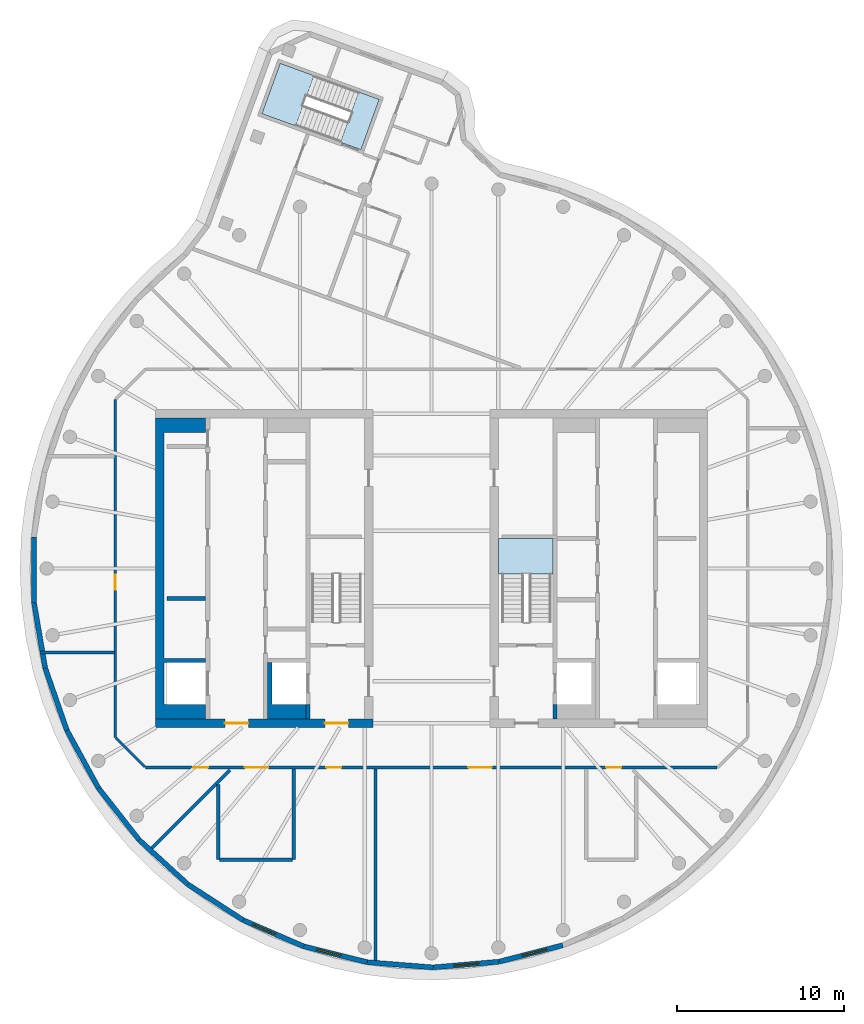
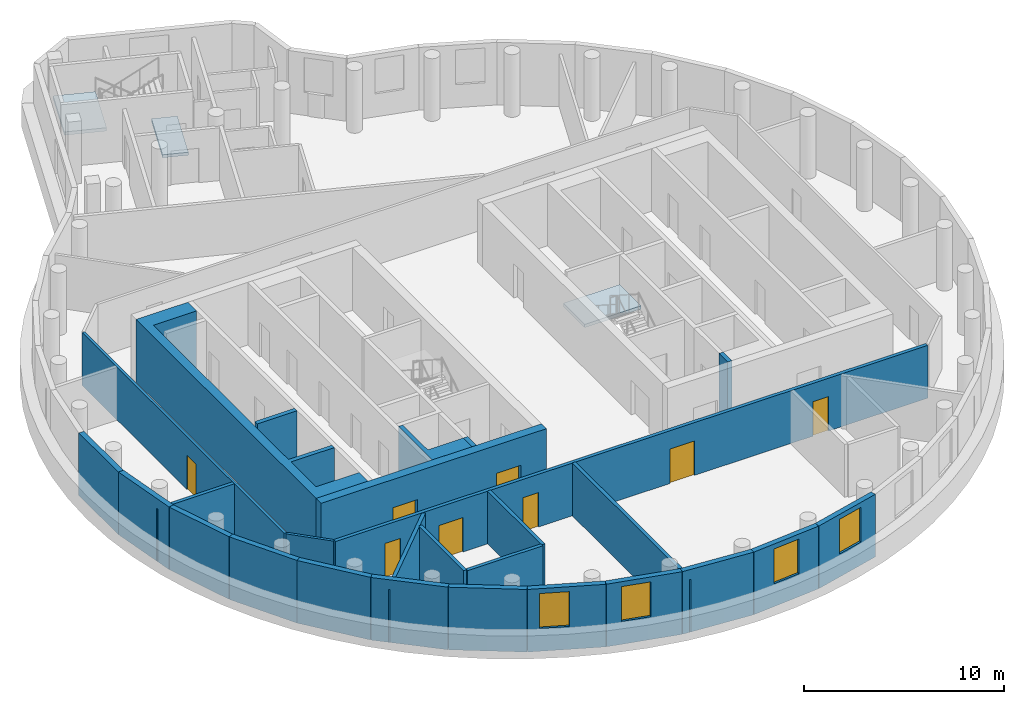
# One storey, part 2 of 7: 27 walls, 8 doors, 4 windows, 3 slabs, 12 openings, 2 elements without a shape of their own.
"""IFC4 building model written with IfcOpenShell, lengths in metres."""

import ifcopenshell
import ifcopenshell.guid

model = None  # the IFC model being written
_history = None  # IfcOwnerHistory: only IFC2X3 demands one
_inside = {}  # id of a spatial element -> (the spatial element, [elements in it])
_under = {}  # id of a project, library or spatial element -> (it, [spatial elements below it])
_declared = {}  # id of a project -> (the project, [libraries it declares])
_typed = {}  # id of a type object -> (the type object, [elements of that type])
_made_of = {}  # id of a material, layer set ... -> (it, [elements and type objects made of it])


def new_model(schema):
    """Start an empty IFC model of exactly this schema.

    Asked for "IFC4X3", IfcOpenShell would pick the latest addendum, in which some entities
    have other attributes; the version numbers below select the first issue.
    IFC2X3 requires an IfcOwnerHistory on every rooted entity: one is made here for all.
    """
    global model, _history
    if schema == "IFC4X3":
        model = ifcopenshell.file(schema_version=(4, 3, 0, 0))
    else:
        model = ifcopenshell.file(schema=schema)
    _inside.clear()
    _under.clear()
    _declared.clear()
    _typed.clear()
    _made_of.clear()
    _history = None
    if model.schema == "IFC2X3":
        org = make("IfcOrganization", Name="unknown")
        user = make(
            "IfcPersonAndOrganization",
            ThePerson=make("IfcPerson", FamilyName="unknown"),
            TheOrganization=org,
        )
        app = make(
            "IfcApplication",
            ApplicationDeveloper=org,
            Version="unknown",
            ApplicationFullName="unknown",
            ApplicationIdentifier="unknown",
        )
        _history = make(
            "IfcOwnerHistory",
            OwningUser=user,
            OwningApplication=app,
            ChangeAction="ADDED",
            CreationDate=0,
        )
    return model


def make(cls, **values):
    """One entity of the class cls with the attributes given. An attribute that is None is left unset."""
    return model.create_entity(
        cls, **{name: value for name, value in values.items() if value is not None}
    )


def rooted(cls, **values):
    """An entity with a GlobalId (a new one), such as an element, a storey or a relation."""
    return make(cls, GlobalId=ifcopenshell.guid.new(), OwnerHistory=_history, **values)


def si_unit(unit_type, name, prefix=None):
    """IfcSIUnit, for example si_unit("LENGTHUNIT", "METRE", prefix="MILLI")."""
    return make("IfcSIUnit", UnitType=unit_type, Prefix=prefix, Name=name)


def assignment(units):
    """IfcUnitAssignment: the units of a project."""
    return None if units is None else make("IfcUnitAssignment", Units=units)


def point(xyz):
    """IfcCartesianPoint."""
    return None if xyz is None else make("IfcCartesianPoint", Coordinates=xyz)


def direction(xyz):
    """IfcDirection."""
    return None if xyz is None else make("IfcDirection", DirectionRatios=xyz)


def frame(location, z_axis=None, x_axis=None):
    """IfcAxis2Placement3D, a coordinate frame: its origin and axes. An axis left out is left unset."""
    return make(
        "IfcAxis2Placement3D",
        Location=point(location),
        Axis=direction(z_axis),
        RefDirection=direction(x_axis),
    )


def frame_2d(location, x_axis=None):
    """IfcAxis2Placement2D, a coordinate frame in the plane: its origin and x axis."""
    return make(
        "IfcAxis2Placement2D", Location=point(location), RefDirection=direction(x_axis)
    )


def origin():
    """The frame at (0, 0, 0) with its axes left unset."""
    return frame((0.0, 0.0, 0.0))


def place(relative_to, where):
    """IfcLocalPlacement: puts the frame where relative to a parent placement (None: the world)."""
    return make(
        "IfcLocalPlacement", PlacementRelTo=relative_to, RelativePlacement=where
    )


def context(
    kind, dimensions, precision=None, world=None, true_north=None, identifier=None
):
    """IfcGeometricRepresentationContext, for example the 3D "Model" context."""
    return make(
        "IfcGeometricRepresentationContext",
        ContextIdentifier=identifier,
        ContextType=kind,
        CoordinateSpaceDimension=dimensions,
        Precision=precision,
        WorldCoordinateSystem=world,
        TrueNorth=true_north,
    )


def subcontext(parent, identifier, kind, view, scale=None):
    """IfcGeometricRepresentationSubContext, for example "Body" below "Model"."""
    return make(
        "IfcGeometricRepresentationSubContext",
        ContextIdentifier=identifier,
        ContextType=kind,
        ParentContext=parent,
        TargetScale=scale,
        TargetView=view,
    )


def project(units=None, contexts=None):
    """IfcProject with its units and contexts."""
    return rooted(
        "IfcProject",
        Name="project",
        RepresentationContexts=contexts,
        UnitsInContext=assignment(units),
    )


def spatial(cls, under=None, at=None, **own):
    """A site, building, storey or space (cls), placed at a placement, below another one or the project."""
    s = rooted(cls, ObjectPlacement=at, **own)
    if under is not None:
        _under.setdefault(under.id(), (under, []))[1].append(s)
    return s


def polyline(points):
    """IfcPolyline through the points."""
    return make("IfcPolyline", Points=[point(p) for p in points])


def profile(cls, at=None, kind="AREA", **sizes):
    """A parametric profile (cls). Its sizes go by their IFC names, for example OverallWidth=200.0."""
    return make(cls, ProfileType=kind, Position=at, **sizes)


def rectangle(**sizes):
    """IfcRectangleProfileDef."""
    return profile("IfcRectangleProfileDef", **sizes)


def outline(outer, holes=None, kind="AREA"):
    """IfcArbitraryClosedProfileDef: a profile drawn as a closed curve; with holes, ...WithVoids."""
    if holes is None:
        return make("IfcArbitraryClosedProfileDef", ProfileType=kind, OuterCurve=outer)
    return make(
        "IfcArbitraryProfileDefWithVoids",
        ProfileType=kind,
        OuterCurve=outer,
        InnerCurves=holes,
    )


def extrude(swept, where, along, depth):
    """IfcExtrudedAreaSolid: the profile swept, set in the frame where, extruded along a direction by depth."""
    return make(
        "IfcExtrudedAreaSolid",
        SweptArea=swept,
        Position=where,
        ExtrudedDirection=direction(along),
        Depth=depth,
    )


def shape(context_of_items, identifier, shape_type, items):
    """IfcShapeRepresentation: the items that make up one representation, for example the "Body"."""
    return make(
        "IfcShapeRepresentation",
        ContextOfItems=context_of_items,
        RepresentationIdentifier=identifier,
        RepresentationType=shape_type,
        Items=items,
    )


def material(Name=None, Category=None):
    """IfcMaterial."""
    return make("IfcMaterial", Name=Name, Category=Category)


def layer(
    of_material, thickness, ventilated=None, Name=None, Category=None, Priority=None
):
    """IfcMaterialLayer: one layer of a wall or slab, of a material (None: an air gap)."""
    return make(
        "IfcMaterialLayer",
        Material=of_material,
        LayerThickness=thickness,
        IsVentilated=ventilated,
        Name=Name,
        Category=Category,
        Priority=Priority,
    )


def layer_set(layers, Name=None):
    """IfcMaterialLayerSet."""
    return make("IfcMaterialLayerSet", MaterialLayers=layers, LayerSetName=Name)


def made_of(thing, what):
    """Note that an element or type object is made of a material, layer set ...; save() writes the relation."""
    if what is not None:
        _made_of.setdefault(what.id(), (what, []))[1].append(thing)
    return thing


def type_object(cls, material=None, **own):
    """A type object (cls), such as IfcWallType, which elements share."""
    return made_of(rooted(cls, **own), material)


def element(
    cls,
    number,
    at=None,
    inside=None,
    cuts=None,
    type_object=None,
    material=None,
    context=None,
    identifier="Body",
    shape_type=None,
    held_by="IfcProductDefinitionShape",
    body=None,
    shapes=None,
    **own,
):
    """One element of the class cls, such as IfcWall. Its Tag is "e" and its number.

    at: its placement. inside: the storey or other place that contains it. cuts: it is an
    opening in that element (IfcRelVoidsElement). A single representation is given by context,
    identifier, shape_type and body (its items); several are given by shapes. held_by: the class
    of the entity that holds the representations. save() writes the other relations.
    """
    e = rooted(cls, Tag="e%d" % number, ObjectPlacement=at, **own)
    if body is not None:
        shapes = [shape(context, identifier, shape_type, body)]
    if shapes is not None:
        e.Representation = make(held_by, Representations=shapes)
    if inside is not None:
        _inside.setdefault(inside.id(), (inside, []))[1].append(e)
    if cuts is not None:
        rooted(
            "IfcRelVoidsElement", RelatingBuildingElement=cuts, RelatedOpeningElement=e
        )
    if type_object is not None:
        _typed.setdefault(type_object.id(), (type_object, []))[1].append(e)
    return made_of(e, material)


def fill(opening, filler):
    """IfcRelFillsElement: the door or window that sits in an opening."""
    return rooted(
        "IfcRelFillsElement",
        RelatingOpeningElement=opening,
        RelatedBuildingElement=filler,
    )


def aggregate(whole, parts):
    """IfcRelAggregates: a whole, such as a stair, and the parts it consists of."""
    return rooted("IfcRelAggregates", RelatingObject=whole, RelatedObjects=parts)


def save(model, path):
    """Write the relations noted so far, then the file.

    IfcRelAggregates (storeys below a building ...), IfcRelContainedInSpatialStructure (elements
    in a storey), IfcRelDefinesByType, IfcRelAssociatesMaterial and IfcRelDeclares: one each for
    every whole, place, type object, material and project.
    """
    for whole, parts in _under.values():
        aggregate(whole, parts)
    for where, things in _inside.values():
        rooted(
            "IfcRelContainedInSpatialStructure",
            RelatedElements=things,
            RelatingStructure=where,
        )
    for kind, things in _typed.values():
        rooted("IfcRelDefinesByType", RelatedObjects=things, RelatingType=kind)
    for what, things in _made_of.values():
        rooted("IfcRelAssociatesMaterial", RelatedObjects=things, RelatingMaterial=what)
    for by, libraries in _declared.values():
        rooted("IfcRelDeclares", RelatingContext=by, RelatedDefinitions=libraries)
    model.write(path)


model = new_model("IFC4")

# Units and contexts
model_context = context("Model", 3, precision=1e-05, world=origin(), true_north=direction((0.0, 1.0)))
body_context = subcontext(model_context, "Body", "Model", "MODEL_VIEW")
ifc_project = project(units=[si_unit("LENGTHUNIT", "METRE"), si_unit("AREAUNIT", "SQUARE_METRE"), si_unit("VOLUMEUNIT", "CUBIC_METRE"), si_unit("PLANEANGLEUNIT", "RADIAN"), si_unit("MASSUNIT", "GRAM", prefix="KILO")], contexts=[model_context])

# Site, building, storey
site_placement = place(None, origin())
site = spatial("IfcSite", under=ifc_project, at=site_placement, CompositionType="ELEMENT")
building_placement = place(site_placement, origin())
building = spatial("IfcBuilding", under=site, at=building_placement, Name="Tamarind Cross Interchange Tower", CompositionType="ELEMENT")
storey_placement = place(building_placement, frame((0.0, 0.0, 317.39990234375)))
storey = spatial("IfcBuildingStorey", under=building, at=storey_placement, Name="L78", CompositionType="ELEMENT", Elevation=317.39990234375)

# Slab
ifc_material_1 = material(Name="Concrete C40", Category="concrete")
ifc_layer_1 = layer(ifc_material_1, 0.179931640625)
ifc_layer_set_1 = layer_set([ifc_layer_1], Name="Concrete C40")
slab_type_1 = type_object("IfcSlabType", Name="Composite slab 180 Concrete C40", PredefinedType="FLOOR", material=ifc_layer_set_1)
slab_1_placement = place(storey_placement, frame((0.0, 0.0, -0.179931640625)))
element("IfcSlab", 1, at=slab_1_placement, inside=storey, type_object=slab_type_1, Name="Floor slab L78", PredefinedType="FLOOR", context=body_context, shape_type="SweptSolid", body=[
    extrude(outline(polyline([(-4.358154296875, 28.481201171875), (-5.45263671875, 25.47412109375), (-4.2197265625, 25.025634765625), (-3.125244140625, 28.03271484375), (-4.358154296875, 28.481201171875)])), origin(), (0.0, 0.0, 1.0), 0.179931640625),
])

# Stair, slab
ifc_material_2 = material(Name="Exit stair")
stair_type = type_object("IfcStairType", Name="Exit stair", PredefinedType="HALF_TURN_STAIR", material=ifc_material_2)
stair_1_placement = place(storey_placement, origin())
stair_1 = element("IfcStair", 2, at=stair_1_placement, inside=storey, type_object=stair_type, Name="L78 exit stair ST2", PredefinedType="HALF_TURN_STAIR")
ifc_layer_2 = layer(ifc_material_1, 0.199951171875)
ifc_layer_set_2 = layer_set([ifc_layer_2], Name="Concrete C40")
slab_type_2 = type_object("IfcSlabType", Name="Stair landing", PredefinedType="LANDING", material=ifc_layer_set_2)
slab_2_placement = place(storey_placement, frame((0.0, 0.0, 1.800048828125)))
slab_2 = element("IfcSlab", 3, at=slab_2_placement, type_object=slab_type_2, Name="ST2 landing 1", PredefinedType="LANDING", context=body_context, shape_type="SweptSolid", body=[
    extrude(outline(polyline([(7.25, -0.340087890625), (7.25, 1.800048828125), (4.0, 1.800048828125), (4.0, -0.340087890625), (7.25, -0.340087890625)])), origin(), (0.0, 0.0, 1.0), 0.199951171875),
])
aggregate(stair_1, [slab_2])

stair_2_placement = place(storey_placement, origin())
stair_2 = element("IfcStair", 4, at=stair_2_placement, inside=storey, type_object=stair_type, Name="L78 exit stair ST4", PredefinedType="HALF_TURN_STAIR")
slab_3_placement = place(storey_placement, frame((0.0, 0.0, 1.800048828125)))
slab_3 = element("IfcSlab", 5, at=slab_3_placement, type_object=slab_type_2, Name="ST4 landing 1", PredefinedType="LANDING", context=body_context, shape_type="SweptSolid", body=[
    extrude(outline(polyline([(-7.023193359375, 29.451171875), (-9.04541015625, 30.187255859375), (-10.139892578125, 27.18017578125), (-8.11767578125, 26.444091796875), (-7.023193359375, 29.451171875)])), origin(), (0.0, 0.0, 1.0), 0.199951171875),
])
aggregate(stair_2, [slab_3])

# Wall, openings, doors
ifc_material_3 = material(Name="Concrete C50", Category="concrete")
ifc_layer_3 = layer(ifc_material_3, 0.5)
ifc_layer_set_3 = layer_set([ifc_layer_3], Name="Concrete C50")
wall_type_1 = type_object("IfcWallType", Name="Core wall 500 mm Concrete C50", PredefinedType="SHEAR", material=ifc_layer_set_3)
wall_1_placement = place(storey_placement, frame((-16.5, -9.25, 0.0), z_axis=(0.0, 0.0, 1.0), x_axis=(1.0, 0.0, 0.0)))
wall_1 = element("IfcWall", 6, at=wall_1_placement, inside=storey, type_object=wall_type_1, Name="Core wall CWL-L78-W-S", PredefinedType="SHEAR", context=body_context, shape_type="SweptSolid", body=[
    extrude(rectangle(XDim=13.0, YDim=0.5, at=frame_2d((6.5, 0.0))), origin(), (0.0, 0.0, 1.0), 3.820068359375),
])
opening_1_placement = place(wall_1_placement, frame((4.14990234375, 0.0, 0.0)))
opening_1 = element("IfcOpeningElement", 7, at=opening_1_placement, cuts=wall_1, Name="Opening DCW1", PredefinedType="OPENING", context=body_context, shape_type="SweptSolid", body=[
    extrude(rectangle(XDim=1.39990234375, YDim=2.10009765625, at=frame_2d((0.699951171875, 1.050048828125))), frame((0.0, 0.260009765625, 0.0), z_axis=(0.0, -1.0, 0.0), x_axis=(1.0, 0.0, 0.0)), (0.0, 0.0, 1.0), 0.52001953125),
])
opening_2_placement = place(wall_1_placement, frame((10.125, 0.0, 0.0)))
opening_2 = element("IfcOpeningElement", 8, at=opening_2_placement, cuts=wall_1, Name="Opening DCWF", PredefinedType="OPENING", context=body_context, shape_type="SweptSolid", body=[
    extrude(rectangle(XDim=1.39990234375, YDim=2.10009765625, at=frame_2d((0.699951171875, 1.050048828125))), frame((0.0, 0.260009765625, 0.0), z_axis=(0.0, -1.0, 0.0), x_axis=(1.0, 0.0, 0.0)), (0.0, 0.0, 1.0), 0.52001953125),
])
ifc_material_4 = material(Name="Steel, fire-resisting", Category="steel")
door_type_1 = type_object("IfcDoorType", Name="Core fire door 1400 x 2100 FD90", OperationType="SINGLE_SWING_LEFT", PredefinedType="DOOR", material=ifc_material_4)
door_1_placement = place(opening_1_placement, origin())
door_1 = element("IfcDoor", 9, at=door_1_placement, inside=storey, type_object=door_type_1, Name="L78 lift lobby door", OperationType="SINGLE_SWING_LEFT", OverallHeight=2.10009765625, OverallWidth=1.39990234375, PredefinedType="DOOR", context=body_context, shape_type="SweptSolid", body=[
    extrude(rectangle(XDim=1.39990234375, YDim=2.10009765625, at=frame_2d((0.699951171875, 1.050048828125))), frame((0.0, 0.02490234375, 0.0), z_axis=(0.0, -1.0, 0.0), x_axis=(1.0, 0.0, 0.0)), (0.0, 0.0, 1.0), 0.050048828125),
])
fill(opening_1, door_1)
door_2_placement = place(opening_2_placement, origin())
door_2 = element("IfcDoor", 10, at=door_2_placement, inside=storey, type_object=door_type_1, Name="L78 firefighting lobby end door", OperationType="SINGLE_SWING_LEFT", OverallHeight=2.10009765625, OverallWidth=1.39990234375, PredefinedType="DOOR", context=body_context, shape_type="SweptSolid", body=[
    extrude(rectangle(XDim=1.39990234375, YDim=2.10009765625, at=frame_2d((0.699951171875, 1.050048828125))), frame((0.0, 0.02490234375, 0.0), z_axis=(0.0, -1.0, 0.0), x_axis=(1.0, 0.0, 0.0)), (0.0, 0.0, 1.0), 0.050048828125),
])
fill(opening_2, door_2)

# Walls
wall_2_placement = place(storey_placement, origin())
element("IfcWall", 11, at=wall_2_placement, inside=storey, type_object=wall_type_1, Name="Core wall CWL-L78-W-A", PredefinedType="SHEAR", context=body_context, shape_type="SweptSolid", body=[
    extrude(outline(polyline([(-13.5, -8.125), (-16.0, -8.125), (-16.0, -5.625), (-13.5, -5.625), (-13.5, -5.375), (-16.0, -5.375), (-16.0, 8.125), (-13.5, 8.125), (-13.5, 9.0), (-16.0, 9.0), (-16.5, 9.0), (-16.5, -9.0), (-16.0, -9.0), (-13.5, -9.0), (-13.5, -8.125)])), origin(), (0.0, 0.0, 1.0), 3.820068359375),
])
ifc_layer_4 = layer(ifc_material_3, 0.25)
ifc_layer_set_4 = layer_set([ifc_layer_4], Name="Concrete C50")
wall_type_2 = type_object("IfcWallType", Name="Core web wall 250 mm Concrete C50", PredefinedType="SHEAR", material=ifc_layer_set_4)
wall_3_placement = place(storey_placement, origin())
element("IfcWall", 12, at=wall_3_placement, inside=storey, type_object=wall_type_2, Name="Core wall CWL-L78-W-BS", PredefinedType="SHEAR", context=body_context, shape_type="SweptSolid", body=[
    extrude(outline(polyline([(-7.5, -8.125), (-9.550048828125, -8.125), (-9.550048828125, -5.625), (-9.800048828125, -5.625), (-9.800048828125, -8.125), (-9.800048828125, -9.0), (-7.5, -9.0), (-7.5, -8.125)])), origin(), (0.0, 0.0, 1.0), 3.820068359375),
])
for number, where, z_axis, x_axis, name in (
    (13, (-7.375, -9.0, 0.0), (0.0, 0.0, 1.0), (0.0, 1.0, 0.0), "Core wall CWL-L78-W-BW"),
    (14, (7.375, -9.0, 0.0), (0.0, 0.0, 1.0), (0.0, 1.0, 0.0), "Core wall CWL-L78-E-BW"),
):
    element("IfcWall", number, at=place(storey_placement, frame(where, z_axis=z_axis, x_axis=x_axis)), inside=storey, type_object=wall_type_2, Name=name, PredefinedType="SHEAR", context=body_context, shape_type="SweptSolid", body=[
        extrude(rectangle(XDim=0.875, YDim=0.25, at=frame_2d((0.4375, 0.0))), origin(), (0.0, 0.0, 1.0), 3.820068359375),
    ])
ifc_material_5 = material(Name="Gypsum board partition on steel studs", Category="steel")
ifc_layer_5 = layer(ifc_material_5, 0.14990234375)
ifc_layer_set_5 = layer_set([ifc_layer_5], Name="Gypsum board partition on steel studs")
wall_type_3 = type_object("IfcWallType", Name="Partition 150 mm EI 120", PredefinedType="PARTITIONING", material=ifc_layer_set_5)
wall_4_placement = place(storey_placement, frame((-18.87158203125, -10.12841796875, 0.0), z_axis=(0.0, 0.0, 1.0), x_axis=(0.707106781187, -0.707106781187, 0.0)))
element("IfcWall", 15, at=wall_4_placement, inside=storey, type_object=wall_type_3, Name="Partition L78-001", PredefinedType="PARTITIONING", context=body_context, shape_type="SweptSolid", body=[
    extrude(rectangle(XDim=2.455078125, YDim=0.14990234375, at=frame_2d((1.2275390625, 0.0))), origin(), (0.0, 0.0, 1.0), 3.22021484375),
])

# Wall, opening, door
wall_5_placement = place(storey_placement, frame((-18.89990234375, -10.10009765625, 0.0), z_axis=(0.0, 0.0, 1.0), x_axis=(0.0, 1.0, 0.0)))
wall_5 = element("IfcWall", 16, at=wall_5_placement, inside=storey, type_object=wall_type_3, Name="Partition L78-033", PredefinedType="PARTITIONING", context=body_context, shape_type="SweptSolid", body=[
    extrude(rectangle(XDim=20.2001953125, YDim=0.14990234375, at=frame_2d((10.10009765625, 0.0))), origin(), (0.0, 0.0, 1.0), 3.22021484375),
])
opening_3_placement = place(wall_5_placement, frame((8.827880859375, 0.0, 0.0)))
opening_3 = element("IfcOpeningElement", 17, at=opening_3_placement, cuts=wall_5, Name="Opening D18", PredefinedType="OPENING", context=body_context, shape_type="SweptSolid", body=[
    extrude(rectangle(XDim=0.89990234375, YDim=2.10009765625, at=frame_2d((0.449951171875, 1.050048828125))), frame((0.0, 0.0849609375, 0.0), z_axis=(0.0, -1.0, 0.0), x_axis=(1.0, 0.0, 0.0)), (0.0, 0.0, 1.0), 0.169921875),
])
ifc_material_6 = material(Name="Fire-resisting door set")
door_type_2 = type_object("IfcDoorType", Name="Interior door 900 x 2100 FD60S", OperationType="SINGLE_SWING_LEFT", PredefinedType="DOOR", material=ifc_material_6)
door_3_placement = place(opening_3_placement, origin())
door_3 = element("IfcDoor", 18, at=door_3_placement, inside=storey, type_object=door_type_2, Name="Door D18", OperationType="SINGLE_SWING_RIGHT", OverallHeight=2.10009765625, OverallWidth=0.89990234375, PredefinedType="DOOR", context=body_context, shape_type="SweptSolid", body=[
    extrude(rectangle(XDim=0.89990234375, YDim=2.10009765625, at=frame_2d((0.449951171875, 1.050048828125))), frame((0.0, 0.02490234375, 0.0), z_axis=(0.0, -1.0, 0.0), x_axis=(1.0, 0.0, 0.0)), (0.0, 0.0, 1.0), 0.050048828125),
])
fill(opening_3, door_3)

# Wall
ifc_layer_6 = layer(ifc_material_5, 0.199951171875)
ifc_layer_set_6 = layer_set([ifc_layer_6], Name="Gypsum board partition on steel studs")
wall_type_4 = type_object("IfcWallType", Name="Partition 200 mm EI 180", PredefinedType="PARTITIONING", material=ifc_layer_set_6)
wall_6_placement = place(storey_placement, frame((-23.4013671875, -5.02197265625, 0.0), z_axis=(0.0, 0.0, 1.0), x_axis=(1.0, 0.0, 0.0)))
element("IfcWall", 19, at=wall_6_placement, inside=storey, type_object=wall_type_4, Name="Partition L78-012", PredefinedType="PARTITIONING", context=body_context, shape_type="SweptSolid", body=[
    extrude(rectangle(XDim=4.4462890625, YDim=0.199951171875, at=frame_2d((2.22314453125, 0.0))), origin(), (0.0, 0.0, 1.0), 3.22021484375),
])

# Wall, openings, doors
wall_7_placement = place(storey_placement, frame((-17.10009765625, -11.89990234375, 0.0), z_axis=(0.0, 0.0, 1.0), x_axis=(1.0, 0.0, 0.0)))
wall_7 = element("IfcWall", 20, at=wall_7_placement, inside=storey, type_object=wall_type_4, Name="Partition L78-014", PredefinedType="PARTITIONING", context=body_context, shape_type="SweptSolid", body=[
    extrude(rectangle(XDim=34.1650390625, YDim=0.199951171875, at=frame_2d((17.08251953125, 0.0))), origin(), (0.0, 0.0, 1.0), 3.22021484375),
])
opening_4_placement = place(wall_7_placement, frame((5.949951171875, 0.0, 0.0)))
opening_4 = element("IfcOpeningElement", 21, at=opening_4_placement, cuts=wall_7, Name="Opening D04", PredefinedType="OPENING", context=body_context, shape_type="SweptSolid", body=[
    extrude(rectangle(XDim=1.39990234375, YDim=2.10009765625, at=frame_2d((0.699951171875, 1.050048828125))), frame((0.0, 0.10986328125, 0.0), z_axis=(0.0, -1.0, 0.0), x_axis=(1.0, 0.0, 0.0)), (0.0, 0.0, 1.0), 0.219970703125),
])
opening_5_placement = place(wall_7_placement, frame((27.541015625, 0.0, 0.0)))
opening_5 = element("IfcOpeningElement", 22, at=opening_5_placement, cuts=wall_7, Name="Opening D05", PredefinedType="OPENING", context=body_context, shape_type="SweptSolid", body=[
    extrude(rectangle(XDim=0.89990234375, YDim=2.10009765625, at=frame_2d((0.449951171875, 1.050048828125))), frame((0.0, 0.10986328125, 0.0), z_axis=(0.0, -1.0, 0.0), x_axis=(1.0, 0.0, 0.0)), (0.0, 0.0, 1.0), 0.219970703125),
])
opening_6_placement = place(wall_7_placement, frame((19.302001953125, 0.0, 0.0)))
opening_6 = element("IfcOpeningElement", 23, at=opening_6_placement, cuts=wall_7, Name="Opening D06", PredefinedType="OPENING", context=body_context, shape_type="SweptSolid", body=[
    extrude(rectangle(XDim=1.39990234375, YDim=2.10009765625, at=frame_2d((0.699951171875, 1.050048828125))), frame((0.0, 0.10986328125, 0.0), z_axis=(0.0, -1.0, 0.0), x_axis=(1.0, 0.0, 0.0)), (0.0, 0.0, 1.0), 0.219970703125),
])
opening_7_placement = place(wall_7_placement, frame((10.80908203125, 0.0, 0.0)))
opening_7 = element("IfcOpeningElement", 24, at=opening_7_placement, cuts=wall_7, Name="Opening D07", PredefinedType="OPENING", context=body_context, shape_type="SweptSolid", body=[
    extrude(rectangle(XDim=0.89990234375, YDim=2.10009765625, at=frame_2d((0.449951171875, 1.050048828125))), frame((0.0, 0.10986328125, 0.0), z_axis=(0.0, -1.0, 0.0), x_axis=(1.0, 0.0, 0.0)), (0.0, 0.0, 1.0), 0.219970703125),
])
opening_8_placement = place(wall_7_placement, frame((2.85009765625, 0.0, 0.0)))
opening_8 = element("IfcOpeningElement", 25, at=opening_8_placement, cuts=wall_7, Name="Opening D08", PredefinedType="OPENING", context=body_context, shape_type="SweptSolid", body=[
    extrude(rectangle(XDim=0.89990234375, YDim=2.10009765625, at=frame_2d((0.449951171875, 1.050048828125))), frame((0.0, 0.10986328125, 0.0), z_axis=(0.0, -1.0, 0.0), x_axis=(1.0, 0.0, 0.0)), (0.0, 0.0, 1.0), 0.219970703125),
])
door_type_3 = type_object("IfcDoorType", Name="Interior door 1400 x 2100 FD120S", OperationType="DOUBLE_DOOR_SINGLE_SWING", PredefinedType="DOOR", material=ifc_material_6)
door_4_placement = place(opening_4_placement, frame((1.39990234375, 0.0, 0.0), z_axis=(0.0, 0.0, 1.0), x_axis=(-1.0, 0.0, 0.0)))
door_4 = element("IfcDoor", 26, at=door_4_placement, inside=storey, type_object=door_type_3, Name="Door D04", OperationType="DOUBLE_DOOR_SINGLE_SWING", OverallHeight=2.10009765625, OverallWidth=1.39990234375, PredefinedType="DOOR", context=body_context, shape_type="SweptSolid", body=[
    extrude(rectangle(XDim=1.39990234375, YDim=2.10009765625, at=frame_2d((0.699951171875, 1.050048828125))), frame((0.0, 0.02490234375, 0.0), z_axis=(0.0, -1.0, 0.0), x_axis=(1.0, 0.0, 0.0)), (0.0, 0.0, 1.0), 0.050048828125),
])
fill(opening_4, door_4)
door_5_placement = place(opening_6_placement, frame((1.39990234375, 0.0, 0.0), z_axis=(0.0, 0.0, 1.0), x_axis=(-1.0, 0.0, 0.0)))
door_5 = element("IfcDoor", 27, at=door_5_placement, inside=storey, type_object=door_type_3, Name="Door D06", OperationType="DOUBLE_DOOR_SINGLE_SWING", OverallHeight=2.10009765625, OverallWidth=1.39990234375, PredefinedType="DOOR", context=body_context, shape_type="SweptSolid", body=[
    extrude(rectangle(XDim=1.39990234375, YDim=2.10009765625, at=frame_2d((0.699951171875, 1.050048828125))), frame((0.0, 0.02490234375, 0.0), z_axis=(0.0, -1.0, 0.0), x_axis=(1.0, 0.0, 0.0)), (0.0, 0.0, 1.0), 0.050048828125),
])
fill(opening_6, door_5)
door_type_4 = type_object("IfcDoorType", Name="Interior door 900 x 2100 FD120S", OperationType="SINGLE_SWING_LEFT", PredefinedType="DOOR", material=ifc_material_6)
door_6_placement = place(opening_5_placement, frame((0.89990234375, 0.0, 0.0), z_axis=(0.0, 0.0, 1.0), x_axis=(-1.0, 0.0, 0.0)))
door_6 = element("IfcDoor", 28, at=door_6_placement, inside=storey, type_object=door_type_4, Name="Door D05", OperationType="SINGLE_SWING_RIGHT", OverallHeight=2.10009765625, OverallWidth=0.89990234375, PredefinedType="DOOR", context=body_context, shape_type="SweptSolid", body=[
    extrude(rectangle(XDim=0.89990234375, YDim=2.10009765625, at=frame_2d((0.449951171875, 1.050048828125))), frame((0.0, 0.02490234375, 0.0), z_axis=(0.0, -1.0, 0.0), x_axis=(1.0, 0.0, 0.0)), (0.0, 0.0, 1.0), 0.050048828125),
])
fill(opening_5, door_6)
door_7_placement = place(opening_7_placement, frame((0.89990234375, 0.0, 0.0), z_axis=(0.0, 0.0, 1.0), x_axis=(-1.0, 0.0, 0.0)))
door_7 = element("IfcDoor", 29, at=door_7_placement, inside=storey, type_object=door_type_4, Name="Door D07", OperationType="SINGLE_SWING_LEFT", OverallHeight=2.10009765625, OverallWidth=0.89990234375, PredefinedType="DOOR", context=body_context, shape_type="SweptSolid", body=[
    extrude(rectangle(XDim=0.89990234375, YDim=2.10009765625, at=frame_2d((0.449951171875, 1.050048828125))), frame((0.0, 0.02490234375, 0.0), z_axis=(0.0, -1.0, 0.0), x_axis=(1.0, 0.0, 0.0)), (0.0, 0.0, 1.0), 0.050048828125),
])
fill(opening_7, door_7)
door_8_placement = place(opening_8_placement, frame((0.89990234375, 0.0, 0.0), z_axis=(0.0, 0.0, 1.0), x_axis=(-1.0, 0.0, 0.0)))
door_8 = element("IfcDoor", 30, at=door_8_placement, inside=storey, type_object=door_type_4, Name="Door D08", OperationType="SINGLE_SWING_LEFT", OverallHeight=2.10009765625, OverallWidth=0.89990234375, PredefinedType="DOOR", context=body_context, shape_type="SweptSolid", body=[
    extrude(rectangle(XDim=0.89990234375, YDim=2.10009765625, at=frame_2d((0.449951171875, 1.050048828125))), frame((0.0, 0.02490234375, 0.0), z_axis=(0.0, -1.0, 0.0), x_axis=(1.0, 0.0, 0.0)), (0.0, 0.0, 1.0), 0.050048828125),
])
fill(opening_8, door_8)

# Walls
wall_8_placement = place(storey_placement, frame((-12.660888671875, -17.39990234375, 0.0), z_axis=(0.0, 0.0, 1.0), x_axis=(1.0, 0.0, 0.0)))
element("IfcWall", 31, at=wall_8_placement, inside=storey, type_object=wall_type_4, Name="Partition L78-016", PredefinedType="PARTITIONING", context=body_context, shape_type="SweptSolid", body=[
    extrude(rectangle(XDim=4.33984375, YDim=0.199951171875, at=frame_2d((2.169921875, 0.0))), origin(), (0.0, 0.0, 1.0), 3.22021484375),
])
wall_9_placement = place(storey_placement, frame((-16.927001953125, -16.927001953125, 0.0), z_axis=(0.0, 0.0, 1.0), x_axis=(0.707106781187, 0.707106781187, 0.0)))
element("IfcWall", 32, at=wall_9_placement, inside=storey, type_object=wall_type_4, Name="Partition L78-021", PredefinedType="PARTITIONING", context=body_context, shape_type="SweptSolid", body=[
    extrude(rectangle(XDim=6.894287109375, YDim=0.199951171875, at=frame_2d((3.447265625, 0.0))), origin(), (0.0, 0.0, 1.0), 3.22021484375),
])
wall_10_placement = place(storey_placement, frame((-12.740966796875, -17.39990234375, 0.0), z_axis=(0.0, 0.0, 1.0), x_axis=(0.0, 1.0, 0.0)))
element("IfcWall", 33, at=wall_10_placement, inside=storey, type_object=wall_type_4, Name="Partition L78-034", PredefinedType="PARTITIONING", context=body_context, shape_type="SweptSolid", body=[
    extrude(rectangle(XDim=4.4990234375, YDim=0.199951171875, at=frame_2d((2.24951171875, 0.0))), origin(), (0.0, 0.0, 1.0), 3.22021484375),
])
wall_11_placement = place(storey_placement, frame((-8.240966796875, -17.39990234375, 0.0), z_axis=(0.0, 0.0, 1.0), x_axis=(0.0, 1.0, 0.0)))
element("IfcWall", 34, at=wall_11_placement, inside=storey, type_object=wall_type_4, Name="Partition L78-035", PredefinedType="PARTITIONING", context=body_context, shape_type="SweptSolid", body=[
    extrude(rectangle(XDim=5.419921875, YDim=0.199951171875, at=frame_2d((2.7099609375, 0.0))), origin(), (0.0, 0.0, 1.0), 3.22021484375),
])
wall_12_placement = place(storey_placement, frame((-3.347900390625, -23.72412109375, 0.0), z_axis=(0.0, 0.0, 1.0), x_axis=(0.0, 1.0, 0.0)))
element("IfcWall", 35, at=wall_12_placement, inside=storey, type_object=wall_type_4, Name="Partition L78-036", PredefinedType="PARTITIONING", context=body_context, shape_type="SweptSolid", body=[
    extrude(rectangle(XDim=11.744140625, YDim=0.199951171875, at=frame_2d((5.8720703125, 0.0))), origin(), (0.0, 0.0, 1.0), 3.22021484375),
])
ifc_material_7 = material(Name="Precast concrete C40", Category="concrete")
ifc_layer_7 = layer(ifc_material_7, 0.300048828125)
ifc_layer_set_7 = layer_set([ifc_layer_7], Name="Precast concrete C40")
wall_type_5 = type_object("IfcWallType", Name="Plant louvre wall", PredefinedType="SOLIDWALL", material=ifc_layer_set_7)
wall_13_placement = place(storey_placement, frame((-23.772705078125, 1.866943359375, 0.0), z_axis=(0.0, 0.0, 1.0), x_axis=(0.004339160737, -0.999990585798, 0.0)))
element("IfcWall", 36, at=wall_13_placement, inside=storey, type_object=wall_type_5, Name="EXW-L78-02-06", PredefinedType="SOLIDWALL", context=body_context, shape_type="SweptSolid", body=[
    extrude(rectangle(XDim=3.9384765625, YDim=0.300048828125, at=frame_2d((1.96923828125, 0.0))), origin(), (0.0, 0.0, 1.0), 3.820068359375),
])
wall_14_placement = place(storey_placement, frame((-23.755615234375, -2.071533203125, 0.0), z_axis=(0.0, 0.0, 1.0), x_axis=(0.168810670753, -0.985648495885, 0.0)))
element("IfcWall", 37, at=wall_14_placement, inside=storey, type_object=wall_type_5, Name="EXW-L78-02-07", PredefinedType="SOLIDWALL", context=body_context, shape_type="SweptSolid", body=[
    extrude(rectangle(XDim=3.93798828125, YDim=0.300048828125, at=frame_2d((1.968994140625, 0.0))), origin(), (0.0, 0.0, 1.0), 3.820068359375),
])
for number, where, z_axis, x_axis, name in (
    (38, (-23.0908203125, -5.953125, 0.0), (0.0, 0.0, 1.0), (0.328789892836, -0.944403095277, 0.0), "EXW-L78-02-08"),
    (39, (-21.7958984375, -9.672607421875, 0.0), (0.0, 0.0, 1.0), (0.479742253376, -0.877409465601, 0.0), "EXW-L78-02-09"),
):
    element("IfcWall", number, at=place(storey_placement, frame(where, z_axis=z_axis, x_axis=x_axis)), inside=storey, type_object=wall_type_5, Name=name, PredefinedType="SOLIDWALL", context=body_context, shape_type="SweptSolid", body=[
        extrude(rectangle(XDim=3.9384765625, YDim=0.300048828125, at=frame_2d((1.96923828125, 0.0))), origin(), (0.0, 0.0, 1.0), 3.820068359375),
    ])
wall_15_placement = place(storey_placement, frame((-19.906494140625, -13.128173828125, 0.0), z_axis=(0.0, 0.0, 1.0), x_axis=(0.617577851206, -0.786509756901, 0.0)))
element("IfcWall", 40, at=wall_15_placement, inside=storey, type_object=wall_type_5, Name="EXW-L78-02-10", PredefinedType="SOLIDWALL", context=body_context, shape_type="SweptSolid", body=[
    extrude(rectangle(XDim=3.938232421875, YDim=0.300048828125, at=frame_2d((1.96923828125, 0.0))), origin(), (0.0, 0.0, 1.0), 3.820068359375),
])
wall_16_placement = place(storey_placement, frame((-17.474365234375, -16.2255859375, 0.0), z_axis=(0.0, 0.0, 1.0), x_axis=(0.738634435884, -0.674106200926, 0.0)))
element("IfcWall", 41, at=wall_16_placement, inside=storey, type_object=wall_type_5, Name="EXW-L78-02-11", PredefinedType="SOLIDWALL", context=body_context, shape_type="SweptSolid", body=[
    extrude(rectangle(XDim=3.9384765625, YDim=0.300048828125, at=frame_2d((1.96923828125, 0.0))), origin(), (0.0, 0.0, 1.0), 3.820068359375),
])
wall_17_placement = place(storey_placement, frame((-14.565185546875, -18.880615234375, 0.0), z_axis=(0.0, 0.0, 1.0), x_axis=(0.839498632024, -0.54336180104, 0.0)))
element("IfcWall", 42, at=wall_17_placement, inside=storey, type_object=wall_type_5, Name="EXW-L78-02-12", PredefinedType="SOLIDWALL", context=body_context, shape_type="SweptSolid", body=[
    extrude(rectangle(XDim=3.938232421875, YDim=0.300048828125, at=frame_2d((1.96923828125, 0.0))), origin(), (0.0, 0.0, 1.0), 3.820068359375),
])

# Wall, opening, window
wall_18_placement = place(storey_placement, frame((-11.259033203125, -21.0205078125, 0.0), z_axis=(0.0, 0.0, 1.0), x_axis=(0.917505110173, -0.397723990735, 0.0)))
wall_18 = element("IfcWall", 43, at=wall_18_placement, inside=storey, type_object=wall_type_5, Name="EXW-L78-02-13", PredefinedType="SOLIDWALL", context=body_context, shape_type="SweptSolid", body=[
    extrude(rectangle(XDim=3.9384765625, YDim=0.300048828125, at=frame_2d((1.96923828125, 0.0))), origin(), (0.0, 0.0, 1.0), 3.820068359375),
])
opening_9_placement = place(wall_18_placement, frame((0.60009765625, 0.0, 1.39990234375)))
opening_9 = element("IfcOpeningElement", 44, at=opening_9_placement, cuts=wall_18, Name="Opening W2", PredefinedType="OPENING", context=body_context, shape_type="SweptSolid", body=[
    extrude(rectangle(XDim=1.498291015625, YDim=2.1201171875, at=frame_2d((0.7490234375, 1.06005859375))), frame((0.0, 0.159912109375, 0.0), z_axis=(0.0, -1.0, 0.0), x_axis=(1.0, 0.0, 0.0)), (0.0, 0.0, 1.0), 0.320068359375),
])
ifc_material_8 = material(Name="Aluminium louvre", Category="aluminium")
window_type = type_object("IfcWindowType", Name="Plant louvre bank", PartitioningType="SINGLE_PANEL", PredefinedType="WINDOW", material=ifc_material_8)
window_1_placement = place(opening_9_placement, origin())
window_1 = element("IfcWindow", 45, at=window_1_placement, inside=storey, type_object=window_type, Name="WIN-L78-02-13", OverallHeight=2.1201171875, OverallWidth=1.498291015625, PartitioningType="SINGLE_PANEL", PredefinedType="WINDOW", context=body_context, shape_type="SweptSolid", body=[
    extrude(rectangle(XDim=1.498291015625, YDim=2.1201171875, at=frame_2d((0.7490234375, 1.06005859375))), frame((0.0, 0.030029296875, 0.0), z_axis=(0.0, -1.0, 0.0), x_axis=(1.0, 0.0, 0.0)), (0.0, 0.0, 1.0), 0.06005859375),
])
fill(opening_9, window_1)

wall_19_placement = place(storey_placement, frame((-7.6455078125, -22.5869140625, 0.0), z_axis=(0.0, 0.0, 1.0), x_axis=(0.970440788586, -0.241339337547, 0.0)))
wall_19 = element("IfcWall", 46, at=wall_19_placement, inside=storey, type_object=wall_type_5, Name="EXW-L78-02-14", PredefinedType="SOLIDWALL", context=body_context, shape_type="SweptSolid", body=[
    extrude(rectangle(XDim=3.938232421875, YDim=0.300048828125, at=frame_2d((1.96923828125, 0.0))), origin(), (0.0, 0.0, 1.0), 3.820068359375),
])
opening_10_placement = place(wall_19_placement, frame((0.800537109375, 0.0, 1.39990234375)))
opening_10 = element("IfcOpeningElement", 47, at=opening_10_placement, cuts=wall_19, Name="Opening W2", PredefinedType="OPENING", context=body_context, shape_type="SweptSolid", body=[
    extrude(rectangle(XDim=1.508544921875, YDim=2.1201171875, at=frame_2d((0.75439453125, 1.06005859375))), frame((0.0, 0.159912109375, 0.0), z_axis=(0.0, -1.0, 0.0), x_axis=(1.0, 0.0, 0.0)), (0.0, 0.0, 1.0), 0.320068359375),
])
window_2_placement = place(opening_10_placement, origin())
window_2 = element("IfcWindow", 48, at=window_2_placement, inside=storey, type_object=window_type, Name="WIN-L78-02-14", OverallHeight=2.1201171875, OverallWidth=1.508544921875, PartitioningType="SINGLE_PANEL", PredefinedType="WINDOW", context=body_context, shape_type="SweptSolid", body=[
    extrude(rectangle(XDim=1.508544921875, YDim=2.1201171875, at=frame_2d((0.75439453125, 1.06005859375))), frame((0.0, 0.030029296875, 0.0), z_axis=(0.0, -1.0, 0.0), x_axis=(1.0, 0.0, 0.0)), (0.0, 0.0, 1.0), 0.06005859375),
])
fill(opening_10, window_2)

# Wall
wall_20_placement = place(storey_placement, frame((-3.82373046875, -23.537353515625, 0.0), z_axis=(0.0, 0.0, 1.0), x_axis=(0.996930318741, -0.078293930641, 0.0)))
element("IfcWall", 49, at=wall_20_placement, inside=storey, type_object=wall_type_5, Name="EXW-L78-02-15", PredefinedType="SOLIDWALL", context=body_context, shape_type="SweptSolid", body=[
    extrude(rectangle(XDim=3.9384765625, YDim=0.300048828125, at=frame_2d((1.96923828125, 0.0))), origin(), (0.0, 0.0, 1.0), 3.820068359375),
])

# Wall, opening, window
wall_21_placement = place(storey_placement, frame((0.1025390625, -23.845703125, 0.0), z_axis=(0.0, 0.0, 1.0), x_axis=(0.99621635874, 0.08690780505, 0.0)))
wall_21 = element("IfcWall", 50, at=wall_21_placement, inside=storey, type_object=wall_type_5, Name="EXW-L78-02-16", PredefinedType="SOLIDWALL", context=body_context, shape_type="SweptSolid", body=[
    extrude(rectangle(XDim=3.9384765625, YDim=0.300048828125, at=frame_2d((1.96923828125, 0.0))), origin(), (0.0, 0.0, 1.0), 3.820068359375),
])
opening_11_placement = place(wall_21_placement, frame((1.22119140625, 0.0, 1.39990234375)))
opening_11 = element("IfcOpeningElement", 51, at=opening_11_placement, cuts=wall_21, Name="Opening W2", PredefinedType="OPENING", context=body_context, shape_type="SweptSolid", body=[
    extrude(rectangle(XDim=1.50927734375, YDim=2.1201171875, at=frame_2d((0.754638671875, 1.06005859375))), frame((0.0, 0.159912109375, 0.0), z_axis=(0.0, -1.0, 0.0), x_axis=(1.0, 0.0, 0.0)), (0.0, 0.0, 1.0), 0.320068359375),
])
window_3_placement = place(opening_11_placement, origin())
window_3 = element("IfcWindow", 52, at=window_3_placement, inside=storey, type_object=window_type, Name="WIN-L78-02-16", OverallHeight=2.1201171875, OverallWidth=1.50927734375, PartitioningType="SINGLE_PANEL", PredefinedType="WINDOW", context=body_context, shape_type="SweptSolid", body=[
    extrude(rectangle(XDim=1.50927734375, YDim=2.1201171875, at=frame_2d((0.754638671875, 1.06005859375))), frame((0.0, 0.030029296875, 0.0), z_axis=(0.0, -1.0, 0.0), x_axis=(1.0, 0.0, 0.0)), (0.0, 0.0, 1.0), 0.06005859375),
])
fill(opening_11, window_3)

wall_22_placement = place(storey_placement, frame((4.026123046875, -23.50341796875, 0.0), z_axis=(0.0, 0.0, 1.0), x_axis=(0.968336809904, 0.24964739651, 0.0)))
wall_22 = element("IfcWall", 53, at=wall_22_placement, inside=storey, type_object=wall_type_5, Name="EXW-L78-02-17", PredefinedType="SOLIDWALL", context=body_context, shape_type="SweptSolid", body=[
    extrude(rectangle(XDim=3.938232421875, YDim=0.300048828125, at=frame_2d((1.96923828125, 0.0))), origin(), (0.0, 0.0, 1.0), 3.820068359375),
])
opening_12_placement = place(wall_22_placement, frame((1.431884765625, 0.0, 1.39990234375)))
opening_12 = element("IfcOpeningElement", 54, at=opening_12_placement, cuts=wall_22, Name="Opening W2", PredefinedType="OPENING", context=body_context, shape_type="SweptSolid", body=[
    extrude(rectangle(XDim=1.509033203125, YDim=2.1201171875, at=frame_2d((0.75439453125, 1.06005859375))), frame((0.0, 0.159912109375, 0.0), z_axis=(0.0, -1.0, 0.0), x_axis=(1.0, 0.0, 0.0)), (0.0, 0.0, 1.0), 0.320068359375),
])
window_4_placement = place(opening_12_placement, origin())
window_4 = element("IfcWindow", 55, at=window_4_placement, inside=storey, type_object=window_type, Name="WIN-L78-02-17", OverallHeight=2.1201171875, OverallWidth=1.509033203125, PartitioningType="SINGLE_PANEL", PredefinedType="WINDOW", context=body_context, shape_type="SweptSolid", body=[
    extrude(rectangle(XDim=1.509033203125, YDim=2.1201171875, at=frame_2d((0.75439453125, 1.06005859375))), frame((0.0, 0.030029296875, 0.0), z_axis=(0.0, -1.0, 0.0), x_axis=(1.0, 0.0, 0.0)), (0.0, 0.0, 1.0), 0.06005859375),
])
fill(opening_12, window_4)

# Wall
ifc_layer_8 = layer(ifc_material_1, 0.25)
ifc_layer_set_8 = layer_set([ifc_layer_8], Name="Concrete C40")
wall_type_6 = type_object("IfcWallType", Name="Shaft and lobby wall 250 mm Concrete C40", PredefinedType="PARTITIONING", material=ifc_layer_set_8)
wall_23_placement = place(storey_placement, frame((-15.800048828125, -1.7919921875, 0.0), z_axis=(0.0, 0.0, 1.0), x_axis=(1.0, 0.0, 0.0)))
element("IfcWall", 56, at=wall_23_placement, inside=storey, type_object=wall_type_6, Name="Shaft wall CWL-L78-W-FPA1", PredefinedType="PARTITIONING", context=body_context, shape_type="SweptSolid", body=[
    extrude(rectangle(XDim=2.300048828125, YDim=0.25, at=frame_2d((1.14990234375, 0.0))), origin(), (0.0, 0.0, 1.0), 3.820068359375),
])

save(model, "model.ifc")
